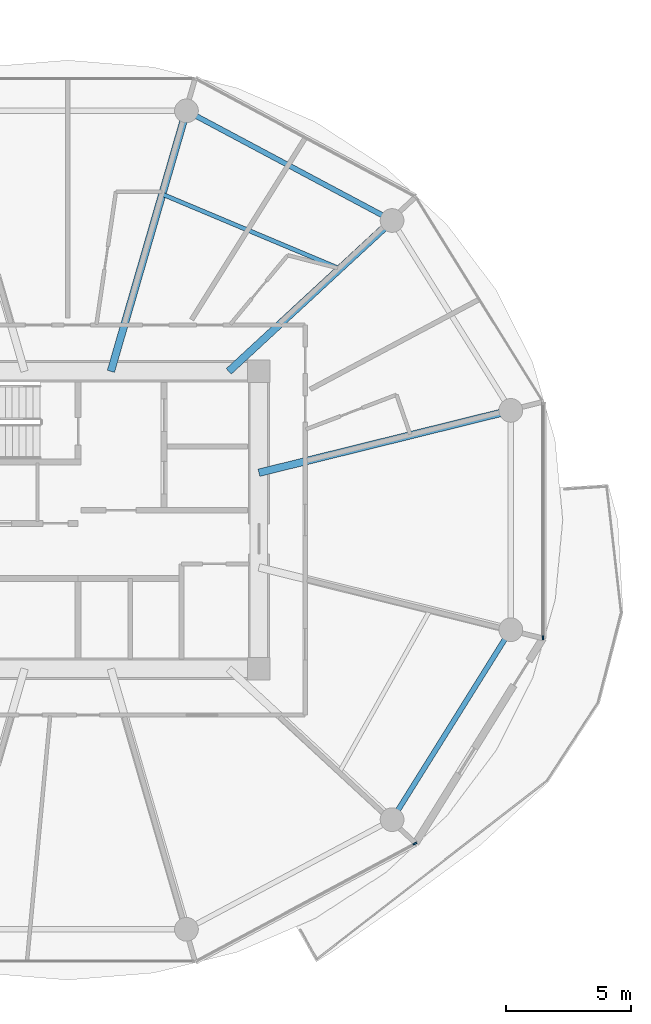
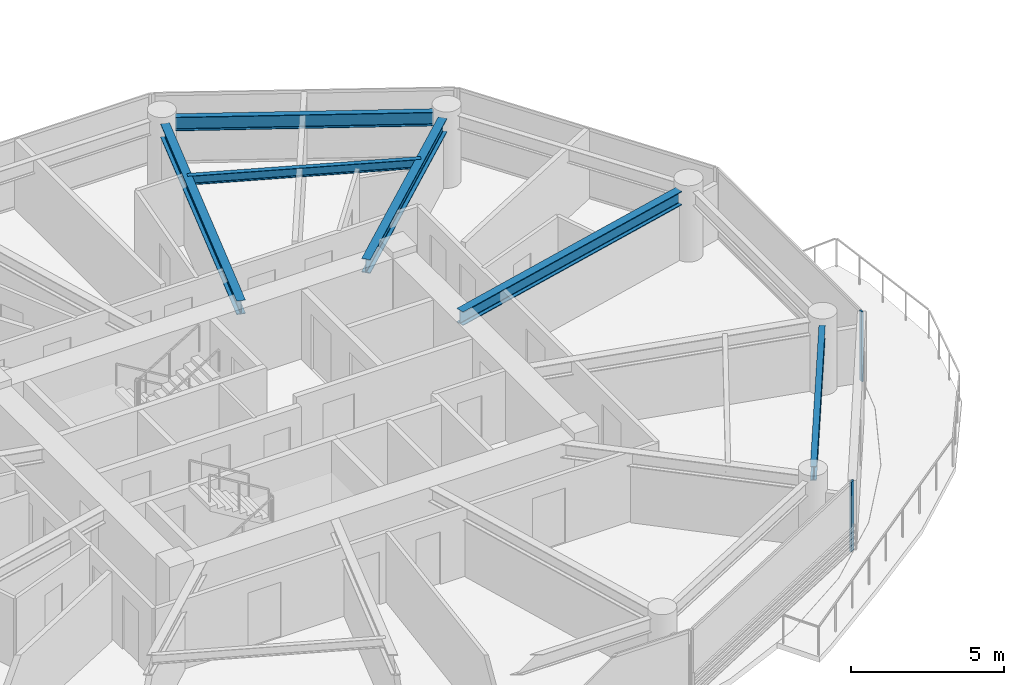
# One storey, part 5 of 26: 6 beams, 2 members, 2 elements without a shape of their own.
"""IFC4 building model written with IfcOpenShell, lengths in metres."""

from ifc_helpers import new_model, si_unit, direction, frame, origin, origin_2d, place, context, subcontext, project, spatial, rectangle, i_section, extrude, source, transform, mapped, material, layer, layer_set, material_profile, profile_set, type_object, type_shapes, element, aggregate, save


model = new_model("IFC4")

# Units and contexts
model_context = context("Model", 3, precision=1e-05, world=origin(), true_north=direction((0.0, 1.0)))
body_context = subcontext(model_context, "Body", "Model", "MODEL_VIEW")
ifc_project = project(units=[si_unit("LENGTHUNIT", "METRE"), si_unit("AREAUNIT", "SQUARE_METRE"), si_unit("VOLUMEUNIT", "CUBIC_METRE"), si_unit("PLANEANGLEUNIT", "RADIAN"), si_unit("MASSUNIT", "GRAM", prefix="KILO")], contexts=[model_context])

# Site, building, storey
site_placement = place(None, origin())
site = spatial("IfcSite", under=ifc_project, at=site_placement, CompositionType="ELEMENT")
building_placement = place(site_placement, origin())
building = spatial("IfcBuilding", under=site, at=building_placement, Name="Norrkilde Senior Care Towers", CompositionType="ELEMENT")
storey_placement = place(building_placement, frame((0.0, 0.0, 64.300048828125)))
storey = spatial("IfcBuildingStorey", under=building, at=storey_placement, Name="L19", CompositionType="ELEMENT", Elevation=64.300048828125)

# Beams
ifc_material_1 = material(Name="Steel S355", Category="steel")
ifc_material_profile_1 = material_profile(ifc_material_1, i_section(OverallWidth=0.2099609375, OverallDepth=0.550048828125, WebThickness=0.010986328125, FlangeThickness=0.01708984375, FilletRadius=0.02392578125, at=origin_2d()), Name="IPE 550")
ifc_profile_set_1 = profile_set([ifc_material_profile_1], Name="Steel S355")
beam_type_1 = type_object("IfcBeamType", Name="Perimeter Ring Spandrel Z1 IPE550", PredefinedType="SPANDREL", material=ifc_profile_set_1)
shared_shape_1 = source(origin(), body_context, "Body", "SweptSolid", [
    extrude(i_section(OverallWidth=0.2099609375, OverallDepth=0.550048828125, WebThickness=0.010986328125, FlangeThickness=0.01708984375, FilletRadius=0.02392578125, at=origin_2d()), origin(), (0.0, 0.0, 1.0), 8.090576171875),
])
beam_1_placement = place(storey_placement, frame((-14.7939453125, -11.61669921875, 2.514892578125), z_axis=(0.530004364821, 0.84799491347, 0.0), x_axis=(-0.84799491347, 0.530004364821, 0.0)))
element("IfcBeam", 1, at=beam_1_placement, inside=storey, type_object=beam_type_1, Name="L19 Drum W Perimeter Spandrel 11", PredefinedType="SPANDREL", context=body_context, shape_type="MappedRepresentation", body=[
    mapped(shared_shape_1, transform((0.0, 0.0, 0.0), x_axis=(1.0, 0.0, 0.0), y_axis=(0.0, 1.0, 0.0), z_axis=(0.0, 0.0, 1.0), scale=1.0)),
])
ifc_material_profile_2 = material_profile(ifc_material_1, i_section(OverallWidth=0.300048828125, OverallDepth=0.550048828125, WebThickness=0.014892578125, FlangeThickness=0.029052734375, FilletRadius=0.027099609375, at=origin_2d()), Name="HEB 550")
ifc_profile_set_2 = profile_set([ifc_material_profile_2], Name="Steel S355")
beam_type_2 = type_object("IfcBeamType", Name="Radial Floor Beam Z1 HEB550", PredefinedType="BEAM", material=ifc_profile_set_2)
shared_shape_2 = source(origin(), body_context, "Body", "SweptSolid", [
    extrude(i_section(OverallWidth=0.300048828125, OverallDepth=0.550048828125, WebThickness=0.014892578125, FlangeThickness=0.029052734375, FilletRadius=0.027099609375, at=origin_2d()), origin(), (0.0, 0.0, 1.0), 9.94384765625),
])
beam_2_placement = place(storey_placement, frame((-20.35009765625, 1.893310546875, 2.514892578125), z_axis=(0.970707425182, 0.240264634718, 0.0), x_axis=(-0.240264634718, 0.970707425182, 0.0)))
element("IfcBeam", 2, at=beam_2_placement, inside=storey, type_object=beam_type_2, Name="L19 Drum W Radial Floor Beam 01", PredefinedType="BEAM", context=body_context, shape_type="MappedRepresentation", body=[
    mapped(shared_shape_2, transform((0.0, 0.0, 0.0), x_axis=(1.0, 0.0, 0.0), y_axis=(0.0, 1.0, 0.0), z_axis=(0.0, 0.0, 1.0), scale=1.0)),
])
shared_shape_3 = source(origin(), body_context, "Body", "SweptSolid", [
    extrude(i_section(OverallWidth=0.2099609375, OverallDepth=0.550048828125, WebThickness=0.010986328125, FlangeThickness=0.01708984375, FilletRadius=0.02392578125, at=origin_2d()), origin(), (0.0, 0.0, 1.0), 8.452880859375),
])
type_shapes(beam_type_1, [shared_shape_1, shared_shape_3])
beam_3_placement = place(storey_placement, frame((-15.408447265625, 12.190185546875, 2.514892578125), z_axis=(-0.882368931134, 0.470558252898, 0.0), x_axis=(-0.470558252898, -0.882368931134, 0.0)))
element("IfcBeam", 3, at=beam_3_placement, inside=storey, type_object=beam_type_1, Name="L19 Drum W Perimeter Spandrel 02", PredefinedType="SPANDREL", context=body_context, shape_type="MappedRepresentation", body=[
    mapped(shared_shape_3, transform((0.0, 0.0, 0.0), x_axis=(1.0, 0.0, 0.0), y_axis=(0.0, 1.0, 0.0), z_axis=(0.0, 0.0, 1.0), scale=1.0)),
])
shared_shape_4 = source(origin(), body_context, "Body", "SweptSolid", [
    extrude(i_section(OverallWidth=0.300048828125, OverallDepth=0.550048828125, WebThickness=0.014892578125, FlangeThickness=0.029052734375, FilletRadius=0.027099609375, at=origin_2d()), origin(), (0.0, 0.0, 1.0), 8.459716796875),
])
beam_4_placement = place(storey_placement, frame((-21.55859375, 5.949951171875, 2.514892578125), z_axis=(0.734573269108, 0.678529374686, 0.0), x_axis=(-0.678529374686, 0.734573269108, 0.0)))
element("IfcBeam", 4, at=beam_4_placement, inside=storey, type_object=beam_type_2, Name="L19 Drum W Radial Floor Beam 02", PredefinedType="BEAM", context=body_context, shape_type="MappedRepresentation", body=[
    mapped(shared_shape_4, transform((0.0, 0.0, 0.0), x_axis=(1.0, 0.0, 0.0), y_axis=(0.0, 1.0, 0.0), z_axis=(0.0, 0.0, 1.0), scale=1.0)),
])
shared_shape_5 = source(origin(), body_context, "Body", "SweptSolid", [
    extrude(i_section(OverallWidth=0.300048828125, OverallDepth=0.550048828125, WebThickness=0.014892578125, FlangeThickness=0.029052734375, FilletRadius=0.027099609375, at=origin_2d()), origin(), (0.0, 0.0, 1.0), 10.4169921875),
])
type_shapes(beam_type_2, [shared_shape_2, shared_shape_4, shared_shape_5])
beam_5_placement = place(storey_placement, frame((-26.27392578125, 5.949951171875, 2.514892578125), z_axis=(0.278591250785, 0.960409764104, 0.0), x_axis=(-0.960409764104, 0.278591250785, 0.0)))
element("IfcBeam", 5, at=beam_5_placement, inside=storey, type_object=beam_type_2, Name="L19 Drum W Radial Floor Beam 03", PredefinedType="BEAM", context=body_context, shape_type="MappedRepresentation", body=[
    mapped(shared_shape_5, transform((0.0, 0.0, 0.0), x_axis=(1.0, 0.0, 0.0), y_axis=(0.0, 1.0, 0.0), z_axis=(0.0, 0.0, 1.0), scale=1.0)),
])
ifc_material_profile_3 = material_profile(ifc_material_1, i_section(OverallWidth=0.169921875, OverallDepth=0.360107421875, WebThickness=0.008056640625, FlangeThickness=0.0126953125, FilletRadius=0.01806640625, at=origin_2d()), Name="IPE 360")
ifc_profile_set_3 = profile_set([ifc_material_profile_3], Name="Steel S355")
beam_type_3 = type_object("IfcBeamType", Name="Secondary Floor Joist IPE360", PredefinedType="JOIST", material=ifc_profile_set_3)
shared_shape_6 = source(origin(), body_context, "Body", "SweptSolid", [
    extrude(i_section(OverallWidth=0.169921875, OverallDepth=0.360107421875, WebThickness=0.008056640625, FlangeThickness=0.0126953125, FilletRadius=0.01806640625, at=origin_2d()), origin(), (0.0, 0.0, 1.0), 7.703857421875),
])
type_shapes(beam_type_3, [shared_shape_6])
beam_6_placement = place(storey_placement, frame((-17.115478515625, 10.05419921875, 2.60986328125), z_axis=(-0.921982784465, 0.387230868023, 0.0), x_axis=(-0.387230868023, -0.921982784465, 0.0)))
element("IfcBeam", 6, at=beam_6_placement, inside=storey, type_object=beam_type_3, Name="L19 Drum W Secondary Floor Joist 1", PredefinedType="JOIST", context=body_context, shape_type="MappedRepresentation", body=[
    mapped(shared_shape_6, transform((0.0, 0.0, 0.0), x_axis=(1.0, 0.0, 0.0), y_axis=(0.0, 1.0, 0.0), z_axis=(0.0, 0.0, 1.0), scale=1.0)),
])

# Curtain wall, member
ifc_material_2 = material(Name="Triple Low-E Insulated Glazing", Category="glass")
ifc_layer = layer(ifc_material_2, 0.199951171875)
ifc_layer_set = layer_set([ifc_layer], Name="Triple Low-E Insulated Glazing")
curtain_wall_type = type_object("IfcCurtainWallType", Name="CW2 Zone 1 Memory Care Curtain Wall", PredefinedType="NOTDEFINED", material=ifc_layer_set)
curtain_wall_1_placement = place(storey_placement, origin())
curtain_wall_1 = element("IfcCurtainWall", 7, at=curtain_wall_1_placement, inside=storey, type_object=curtain_wall_type, Name="L19 Drum W Curtain Wall 09", PredefinedType="NOTDEFINED")
ifc_material_3 = material(Name="Anodised Aluminium", Category="aluminium")
ifc_material_profile_4 = material_profile(ifc_material_3, rectangle(XDim=0.06494140625, YDim=0.159912109375, at=origin_2d()), Name="ALU MULL 65x160")
ifc_profile_set_4 = profile_set([ifc_material_profile_4], Name="Anodised Aluminium")
member_type = type_object("IfcMemberType", Name="Curtain Wall Mullion Z1-Z2 65x160", PredefinedType="MULLION", material=ifc_profile_set_4)
shared_shape_7 = source(origin(), body_context, "Body", "SweptSolid", [
    extrude(rectangle(XDim=0.06494140625, YDim=0.159912109375, at=origin_2d()), origin(), (0.0, 0.0, 1.0), 2.7900390625),
])
type_shapes(member_type, [shared_shape_7])
member_1_placement = place(storey_placement, frame((-14.11279296875, -12.941162109375, 0.0), z_axis=(0.0, 0.0, 1.0), x_axis=(0.472607802456, -0.881272866403, 0.0)))
member_1 = element("IfcMember", 8, at=member_1_placement, type_object=member_type, Name="CW-2 mullion 1", PredefinedType="MULLION", context=body_context, shape_type="MappedRepresentation", body=[
    mapped(shared_shape_7, transform((0.0, 0.0, 0.0), x_axis=(1.0, 0.0, 0.0), y_axis=(0.0, 1.0, 0.0), z_axis=(0.0, 0.0, 1.0), scale=1.0)),
])
aggregate(curtain_wall_1, [member_1])

curtain_wall_2_placement = place(storey_placement, origin())
curtain_wall_2 = element("IfcCurtainWall", 9, at=curtain_wall_2_placement, inside=storey, type_object=curtain_wall_type, Name="L19 Drum W Curtain Wall 11", PredefinedType="NOTDEFINED")
member_2_placement = place(storey_placement, frame((-8.990478515625, -4.69873046875, 0.0), z_axis=(0.0, 0.0, 1.0), x_axis=(1.0, 0.0, 0.0)))
member_2 = element("IfcMember", 10, at=member_2_placement, type_object=member_type, Name="CW-2 mullion 2", PredefinedType="MULLION", context=body_context, shape_type="MappedRepresentation", body=[
    mapped(shared_shape_7, transform((0.0, 0.0, 0.0), x_axis=(1.0, 0.0, 0.0), y_axis=(0.0, 1.0, 0.0), z_axis=(0.0, 0.0, 1.0), scale=1.0)),
])
aggregate(curtain_wall_2, [member_2])

save(model, "model.ifc")
